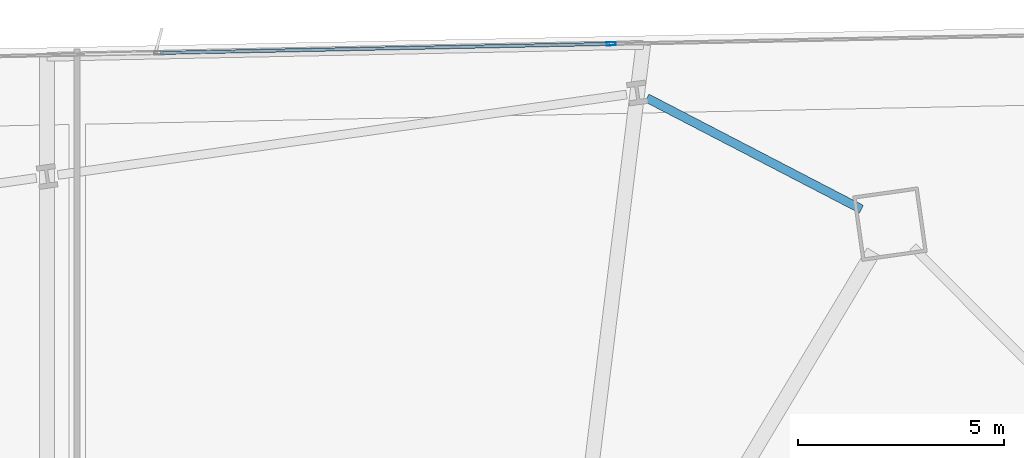
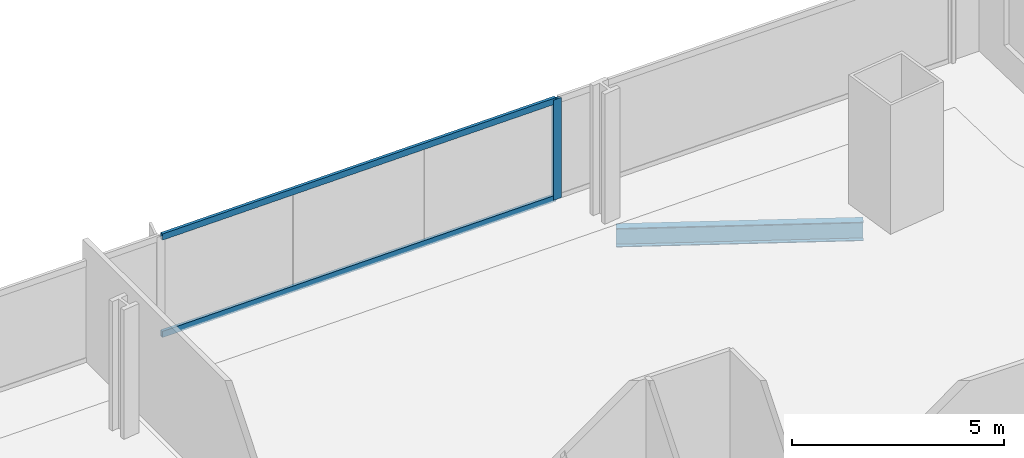
# One storey, part 24 of 35: 3 members, 1 beam, 1 element without a shape of its own.
"""IFC4 building model written with IfcOpenShell, lengths in metres."""

from ifc_helpers import new_model, si_unit, direction, frame, origin, origin_2d, place, context, subcontext, project, spatial, hollow_rectangle, i_section, extrude, material, material_profile, profile_set, type_object, element, aggregate, save


model = new_model("IFC4")

# Units and contexts
model_context = context("Model", 3, precision=1e-05, world=origin(), true_north=direction((0.0, 1.0)))
body_context = subcontext(model_context, "Body", "Model", "MODEL_VIEW")
ifc_project = project(units=[si_unit("LENGTHUNIT", "METRE"), si_unit("AREAUNIT", "SQUARE_METRE"), si_unit("VOLUMEUNIT", "CUBIC_METRE"), si_unit("PLANEANGLEUNIT", "RADIAN"), si_unit("MASSUNIT", "GRAM", prefix="KILO")], contexts=[model_context])

# Site, building, storey
site_placement = place(None, origin())
site = spatial("IfcSite", under=ifc_project, at=site_placement, CompositionType="ELEMENT")
building_placement = place(site_placement, origin())
building = spatial("IfcBuilding", under=site, at=building_placement, Name="Haldenkirk Collegiate Tower", CompositionType="ELEMENT")
storey_placement = place(building_placement, frame((0.0, 0.0, 32.699951171875)))
storey = spatial("IfcBuildingStorey", under=building, at=storey_placement, Name="L06", CompositionType="ELEMENT", Elevation=32.699951171875)

# Beam
ifc_material_1 = material(Name="Steel ASTM A992 Grade 50", Category="steel")
ifc_material_profile_1 = material_profile(ifc_material_1, i_section(OverallWidth=0.2119140625, OverallDepth=0.5439453125, WebThickness=0.01318359375, FlangeThickness=0.021240234375, at=origin_2d()), Name="W21X83")
ifc_profile_set_1 = profile_set([ifc_material_profile_1], Name="Steel ASTM A992 Grade 50")
beam_type = type_object("IfcBeamType", Name="BM-SPANDREL-W21X83", PredefinedType="SPANDREL", material=ifc_profile_set_1)
beam_placement = place(storey_placement, frame((52.4921875, 48.029296875, -0.58203125), z_axis=(-0.887648364794, 0.460521856678, 0.0), x_axis=(-0.460521856678, -0.887648364794, 0.0)))
element("IfcBeam", 1, at=beam_placement, inside=storey, type_object=beam_type, Name="L06 perimeter spandrel beam 09", PredefinedType="SPANDREL", context=body_context, shape_type="SweptSolid", body=[
    extrude(i_section(OverallWidth=0.2119140625, OverallDepth=0.5439453125, WebThickness=0.01318359375, FlangeThickness=0.021240234375, at=origin_2d()), origin(), (0.0, 0.0, 1.0), 5.848388671875),
])

# Curtain wall, members
ifc_material_2 = material(Name="Anodised architectural bronze aluminium", Category="aluminium")
curtain_wall_type = type_object("IfcCurtainWallType", Name="CW-SYS1-CONVEX-LOW", PredefinedType="USERDEFINED", material=ifc_material_2)
curtain_wall_placement = place(storey_placement, origin())
curtain_wall = element("IfcCurtainWall", 2, at=curtain_wall_placement, inside=storey, type_object=curtain_wall_type, Name="L06 Lower tower convex bronze-framed unitised curtain wall", ObjectType="UNITISED CURTAIN WALL", PredefinedType="USERDEFINED")
ifc_material_profile_2 = material_profile(ifc_material_2, hollow_rectangle(XDim=0.080078125, YDim=0.219970703125, WallThickness=0.0048828125, at=origin_2d()), Name="CW-MUL-1A")
ifc_profile_set_2 = profile_set([ifc_material_profile_2], Name="Anodised architectural bronze aluminium")
member_type_1 = type_object("IfcMemberType", Name="CW-MUL-1A", PredefinedType="MULLION", material=ifc_profile_set_2)
member_1_placement = place(storey_placement, frame((46.4296875, 52.03466796875, 0.0), z_axis=(0.0, 0.0, 1.0), x_axis=(-0.020068483542, 0.999798607705, 0.0)))
member_1 = element("IfcMember", 3, at=member_1_placement, type_object=member_type_1, Name="CW-1A mullion 4", PredefinedType="MULLION", context=body_context, shape_type="SweptSolid", body=[
    extrude(hollow_rectangle(XDim=0.080078125, YDim=0.219970703125, WallThickness=0.0048828125, at=origin_2d()), origin(), (0.0, 0.0, 1.0), 2.89111328125),
])
ifc_material_profile_3 = material_profile(ifc_material_2, hollow_rectangle(XDim=0.080078125, YDim=0.179931640625, WallThickness=0.0048828125, at=origin_2d()), Name="CW-TRN-1A")
ifc_profile_set_3 = profile_set([ifc_material_profile_3], Name="Anodised architectural bronze aluminium")
member_type_2 = type_object("IfcMemberType", Name="CW-TRN-1A", PredefinedType="USERDEFINED", material=ifc_profile_set_3)
member_2_placement = place(storey_placement, frame((35.521728515625, 51.815673828125, 0.0400390625), z_axis=(0.999798845797, 0.020056618427, 0.0), x_axis=(-0.020056618427, 0.999798845797, 0.0)))
member_2 = element("IfcMember", 4, at=member_2_placement, type_object=member_type_2, Name="CW-1A transom 3.1", ObjectType="TRANSOM", PredefinedType="USERDEFINED", context=body_context, shape_type="SweptSolid", body=[
    extrude(hollow_rectangle(XDim=0.080078125, YDim=0.179931640625, WallThickness=0.0048828125, at=origin_2d()), origin(), (0.0, 0.0, 1.0), 10.8701171875),
])
member_3_placement = place(storey_placement, frame((35.521728515625, 51.815673828125, 2.85107421875), z_axis=(0.999798845797, 0.020056618427, 0.0), x_axis=(-0.020056618427, 0.999798845797, 0.0)))
member_3 = element("IfcMember", 5, at=member_3_placement, type_object=member_type_2, Name="CW-1A transom 3.2", ObjectType="TRANSOM", PredefinedType="USERDEFINED", context=body_context, shape_type="SweptSolid", body=[
    extrude(hollow_rectangle(XDim=0.080078125, YDim=0.179931640625, WallThickness=0.0048828125, at=origin_2d()), origin(), (0.0, 0.0, 1.0), 10.8701171875),
])
aggregate(curtain_wall, [member_1, member_2, member_3])

save(model, "model.ifc")
